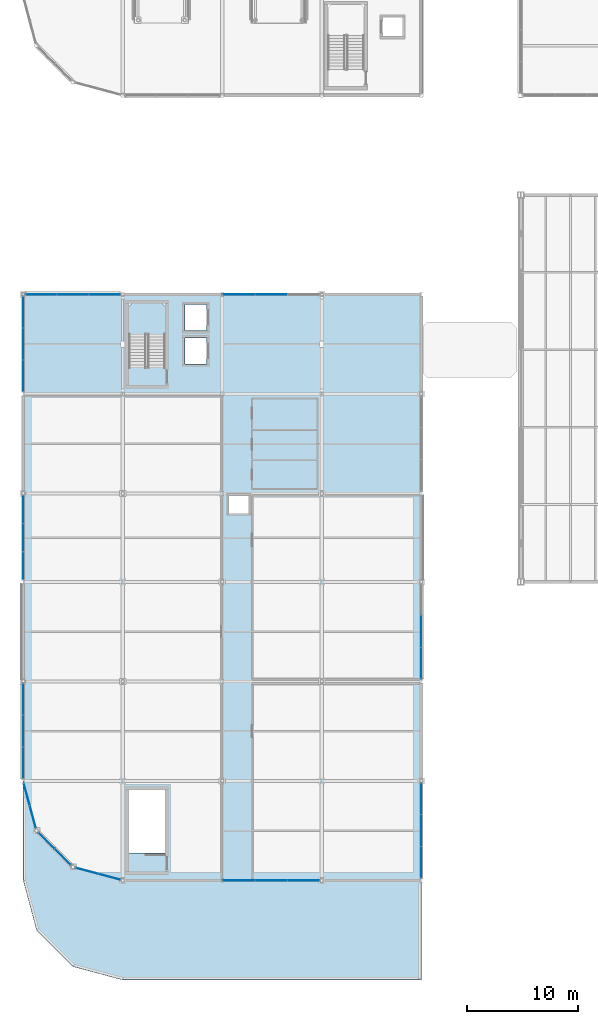
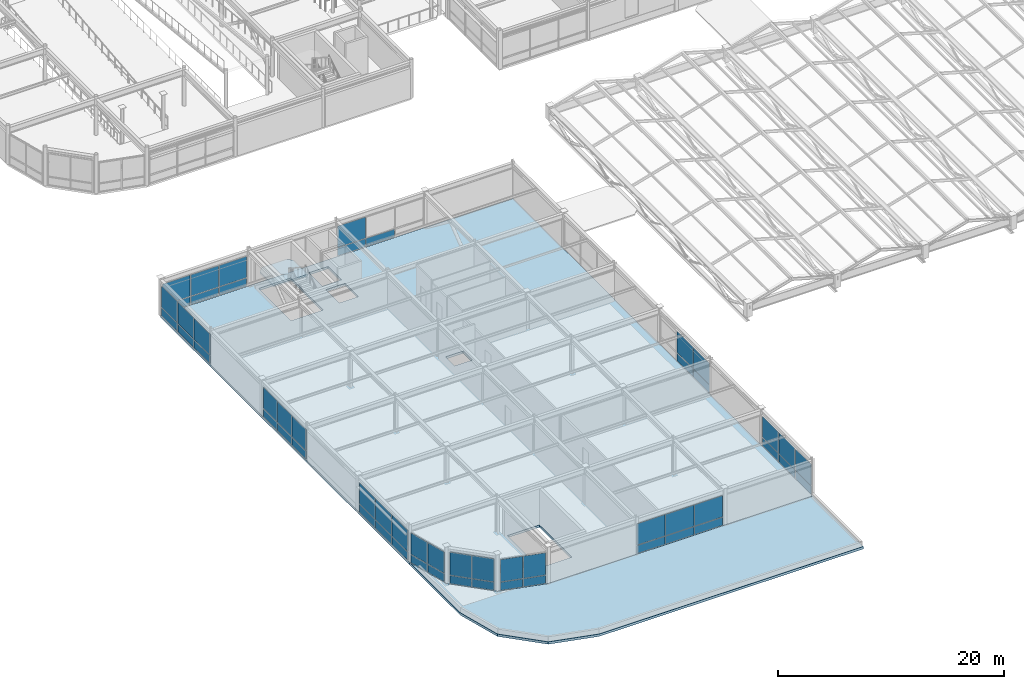
# One storey, part 63 of 108: 55 plates, 3 slabs, 12 elements without a shape of their own.
"""IFC4 building model written with IfcOpenShell, lengths in metres."""

from ifc_helpers import new_model, si_unit, direction, frame, origin, origin_2d, place, context, subcontext, project, spatial, polyline, rectangle, outline, extrude, material, layer, layer_set, type_object, element, aggregate, save


model = new_model("IFC4")

# Units and contexts
model_context = context("Model", 3, precision=1e-05, world=origin(), true_north=direction((0.0, 1.0)))
body_context = subcontext(model_context, "Body", "Model", "MODEL_VIEW")
ifc_project = project(units=[si_unit("LENGTHUNIT", "METRE"), si_unit("AREAUNIT", "SQUARE_METRE"), si_unit("VOLUMEUNIT", "CUBIC_METRE"), si_unit("PLANEANGLEUNIT", "RADIAN"), si_unit("MASSUNIT", "GRAM", prefix="KILO")], contexts=[model_context])

# Site, building, storey
site_placement = place(None, origin())
site = spatial("IfcSite", under=ifc_project, at=site_placement, CompositionType="ELEMENT")
building_placement = place(site_placement, origin())
building = spatial("IfcBuilding", under=site, at=building_placement, Name="Suzunagisa Mobility Hub", CompositionType="ELEMENT")
storey_placement = place(building_placement, frame((0.0, 0.0, 9.300048828125)))
storey = spatial("IfcBuildingStorey", under=building, at=storey_placement, Name="L02", CompositionType="ELEMENT", Elevation=9.300048828125)

# Slabs
ifc_material_1 = material(Name="Concrete C30/37", Category="concrete")
ifc_layer_1 = layer(ifc_material_1, 0.239990234375)
ifc_layer_set_1 = layer_set([ifc_layer_1], Name="Concrete C30/37")
slab_type_1 = type_object("IfcSlabType", Name="Composite Slab SL-14 240mm", PredefinedType="FLOOR", material=ifc_layer_set_1)
slab_1_placement = place(storey_placement, frame((0.0, 0.0, -0.239990234375)))
element("IfcSlab", 1, at=slab_1_placement, inside=storey, type_object=slab_type_1, Name="L02 V5 Floor Slab", PredefinedType="FLOOR", context=body_context, shape_type="SweptSolid", body=[
    extrude(outline(polyline([(0.0, 18.0), (1.205810546875, 13.5), (4.5, 10.205810546875), (9.0, 9.0), (36.0, 9.0), (36.0, 62.0), (0.0, 62.0), (0.0, 18.0)]), holes=[polyline([(18.60009765625, 42.199951171875), (20.39990234375, 42.199951171875), (20.39990234375, 43.800048828125), (18.60009765625, 43.800048828125), (18.60009765625, 42.199951171875)]), polyline([(9.56005859375, 55.47998046875), (12.840087890625, 55.47998046875), (12.840087890625, 61.199951171875), (9.56005859375, 61.199951171875), (9.56005859375, 55.47998046875)]), polyline([(14.6201171875, 55.719970703125), (16.580078125, 55.719970703125), (16.580078125, 58.080078125), (14.6201171875, 58.080078125), (14.6201171875, 55.719970703125)]), polyline([(14.6201171875, 58.719970703125), (16.580078125, 58.719970703125), (16.580078125, 61.080078125), (14.6201171875, 61.080078125), (14.6201171875, 58.719970703125)]), polyline([(9.56005859375, 11.47998046875), (12.840087890625, 11.47998046875), (12.840087890625, 17.199951171875), (9.56005859375, 17.199951171875), (9.56005859375, 11.47998046875)])]), origin(), (0.0, 0.0, 1.0), 0.239990234375),
])
ifc_layer_2 = layer(ifc_material_1, 0.260009765625)
ifc_layer_set_2 = layer_set([ifc_layer_2], Name="Concrete C30/37")
slab_type_2 = type_object("IfcSlabType", Name="Composite Slab SL-17 260mm", PredefinedType="ROOF", material=ifc_layer_set_2)
slab_2_placement = place(storey_placement, frame((0.0, 0.0, -0.260009765625)))
element("IfcSlab", 2, at=slab_2_placement, inside=storey, type_object=slab_type_2, Name="L02 V5 Roof Slab", PredefinedType="ROOF", context=body_context, shape_type="SweptSolid", body=[
    extrude(outline(polyline([(0.0, 9.0), (1.205810546875, 4.5), (4.5, 1.205810546875), (9.0, 0.0), (36.0, 0.0), (36.0, 8.9951171875), (8.998779296875, 8.9951171875), (4.49658203125, 10.202392578125), (1.20166015625, 13.497314453125), (0.0, 17.980712890625), (0.0, 9.0)])), origin(), (0.0, 0.0, 1.0), 0.260009765625),
])

# Stair, slab
ifc_material_2 = material(Name="Concrete C35/45", Category="concrete")
stair_type = type_object("IfcStairType", Name="Dog-Leg Core Escape Stair ST-01 W1560", PredefinedType="HALF_TURN_STAIR", material=ifc_material_2)
stair_placement = place(storey_placement, origin())
stair = element("IfcStair", 3, at=stair_placement, inside=storey, type_object=stair_type, Name="L02 Core C1 Escape Stair ST-01", PredefinedType="HALF_TURN_STAIR")
ifc_layer_3 = layer(ifc_material_2, 0.199951171875)
ifc_layer_set_3 = layer_set([ifc_layer_3], Name="Concrete C35/45")
slab_type_3 = type_object("IfcSlabType", Name="Core Stair Half-Landing Slab SL-SLND", PredefinedType="LANDING", material=ifc_layer_set_3)
slab_3_placement = place(storey_placement, frame((0.0, 0.0, 1.89990234375)))
slab_3 = element("IfcSlab", 4, at=slab_3_placement, type_object=slab_type_3, Name="ST-01 landing 1", PredefinedType="LANDING", context=body_context, shape_type="SweptSolid", body=[
    extrude(outline(polyline([(9.4599609375, 58.360107421875), (12.93994140625, 58.360107421875), (12.93994140625, 60.820068359375), (12.4599609375, 61.300048828125), (9.93994140625, 61.300048828125), (9.4599609375, 60.820068359375), (9.4599609375, 58.360107421875)])), origin(), (0.0, 0.0, 1.0), 0.199951171875),
])
aggregate(stair, [slab_3])

# Curtain wall, plates
ifc_material_3 = material(Name="Thermally Broken Anodized Aluminum and Low-E Glazing", Category="aluminium")
curtain_wall_type_1 = type_object("IfcCurtainWallType", Name="Unitised Curtain Wall CW-06 4250x3300", PredefinedType="USERDEFINED", material=ifc_material_3)
curtain_wall_1_placement = place(storey_placement, origin())
curtain_wall_1 = element("IfcCurtainWall", 5, at=curtain_wall_1_placement, inside=storey, type_object=curtain_wall_type_1, Name="L02 Unitised Curtain Wall CW-22", ObjectType="UNITISED CURTAIN WALL", PredefinedType="USERDEFINED")
ifc_material_4 = material(Name="Low-E Solar-Control Double Glazing", Category="glass")
ifc_layer_4 = layer(ifc_material_4, 0.028076171875)
ifc_layer_set_4 = layer_set([ifc_layer_4], Name="Low-E Solar-Control Double Glazing")
plate_type = type_object("IfcPlateType", Name="Low-E Double Glazed Curtain Panel GP-01 28mm", PredefinedType="CURTAIN_PANEL", material=ifc_layer_set_4)
plate_1_placement = place(storey_placement, frame((0.329345703125, 16.770751953125, 0.05810546875), z_axis=(0.0, 0.0, 1.0), x_axis=(0.258810670101, -0.965928070325, 0.0)))
plate_1 = element("IfcPlate", 6, at=plate_1_placement, type_object=plate_type, Name="Curtain Wall Glazing Panel 22-P1.1", PredefinedType="CURTAIN_PANEL", context=body_context, shape_type="SweptSolid", body=[
    extrude(rectangle(XDim=2.0361328125, YDim=0.028076171875, at=origin_2d()), origin(), (0.0, 0.0, 1.0), 0.864013671875),
])
plate_2_placement = place(storey_placement, frame((0.329345703125, 16.770751953125, 0.97802734375), z_axis=(0.0, 0.0, 1.0), x_axis=(0.258810670101, -0.965928070325, 0.0)))
plate_2 = element("IfcPlate", 7, at=plate_2_placement, type_object=plate_type, Name="Curtain Wall Glazing Panel 22-P1.2", PredefinedType="CURTAIN_PANEL", context=body_context, shape_type="SweptSolid", body=[
    extrude(rectangle(XDim=2.0361328125, YDim=0.028076171875, at=origin_2d()), origin(), (0.0, 0.0, 1.0), 2.2958984375),
])
plate_3_placement = place(storey_placement, frame((0.870849609375, 14.749755859375, 0.05810546875), z_axis=(0.0, 0.0, 1.0), x_axis=(0.258810670101, -0.965928070325, 0.0)))
plate_3 = element("IfcPlate", 8, at=plate_3_placement, type_object=plate_type, Name="Curtain Wall Glazing Panel 22-P2.1", PredefinedType="CURTAIN_PANEL", context=body_context, shape_type="SweptSolid", body=[
    extrude(rectangle(XDim=2.0361328125, YDim=0.028076171875, at=origin_2d()), origin(), (0.0, 0.0, 1.0), 0.864013671875),
])
plate_4_placement = place(storey_placement, frame((0.870849609375, 14.749755859375, 0.97802734375), z_axis=(0.0, 0.0, 1.0), x_axis=(0.258810670101, -0.965928070325, 0.0)))
plate_4 = element("IfcPlate", 9, at=plate_4_placement, type_object=plate_type, Name="Curtain Wall Glazing Panel 22-P2.2", PredefinedType="CURTAIN_PANEL", context=body_context, shape_type="SweptSolid", body=[
    extrude(rectangle(XDim=2.0361328125, YDim=0.028076171875, at=origin_2d()), origin(), (0.0, 0.0, 1.0), 2.2958984375),
])
aggregate(curtain_wall_1, [plate_1, plate_2, plate_3, plate_4])

curtain_wall_type_2 = type_object("IfcCurtainWallType", Name="Unitised Curtain Wall CW-24 4250x3500", PredefinedType="USERDEFINED", material=ifc_material_3)
curtain_wall_2_placement = place(storey_placement, origin())
curtain_wall_2 = element("IfcCurtainWall", 10, at=curtain_wall_2_placement, inside=storey, type_object=curtain_wall_type_2, Name="L02 Unitised Curtain Wall CW-23", ObjectType="UNITISED CURTAIN WALL", PredefinedType="USERDEFINED")
plate_5_placement = place(storey_placement, frame((2.12890625, 12.576904296875, 0.05810546875), z_axis=(0.0, 0.0, 1.0), x_axis=(0.707106781187, -0.707106781187, 0.0)))
plate_5 = element("IfcPlate", 11, at=plate_5_placement, type_object=plate_type, Name="Curtain Wall Glazing Panel 23-P1.1", PredefinedType="CURTAIN_PANEL", context=body_context, shape_type="SweptSolid", body=[
    extrude(rectangle(XDim=1.991943359375, YDim=0.028076171875, at=origin_2d()), origin(), (0.0, 0.0, 1.0), 0.864013671875),
])
plate_6_placement = place(storey_placement, frame((2.12890625, 12.576904296875, 0.97802734375), z_axis=(0.0, 0.0, 1.0), x_axis=(0.707106781187, -0.707106781187, 0.0)))
plate_6 = element("IfcPlate", 12, at=plate_6_placement, type_object=plate_type, Name="Curtain Wall Glazing Panel 23-P1.2", PredefinedType="CURTAIN_PANEL", context=body_context, shape_type="SweptSolid", body=[
    extrude(rectangle(XDim=1.991943359375, YDim=0.028076171875, at=origin_2d()), origin(), (0.0, 0.0, 1.0), 2.48388671875),
])
plate_7_placement = place(storey_placement, frame((3.576904296875, 11.12890625, 0.05810546875), z_axis=(0.0, 0.0, 1.0), x_axis=(0.707106781187, -0.707106781187, 0.0)))
plate_7 = element("IfcPlate", 13, at=plate_7_placement, type_object=plate_type, Name="Curtain Wall Glazing Panel 23-P2.1", PredefinedType="CURTAIN_PANEL", context=body_context, shape_type="SweptSolid", body=[
    extrude(rectangle(XDim=1.991943359375, YDim=0.028076171875, at=origin_2d()), origin(), (0.0, 0.0, 1.0), 0.864013671875),
])
plate_8_placement = place(storey_placement, frame((3.576904296875, 11.12890625, 0.97802734375), z_axis=(0.0, 0.0, 1.0), x_axis=(0.707106781187, -0.707106781187, 0.0)))
plate_8 = element("IfcPlate", 14, at=plate_8_placement, type_object=plate_type, Name="Curtain Wall Glazing Panel 23-P2.2", PredefinedType="CURTAIN_PANEL", context=body_context, shape_type="SweptSolid", body=[
    extrude(rectangle(XDim=1.991943359375, YDim=0.028076171875, at=origin_2d()), origin(), (0.0, 0.0, 1.0), 2.48388671875),
])
aggregate(curtain_wall_2, [plate_5, plate_6, plate_7, plate_8])

curtain_wall_type_3 = type_object("IfcCurtainWallType", Name="Unitised Curtain Wall CW-02 4250x3400", PredefinedType="USERDEFINED", material=ifc_material_3)
curtain_wall_3_placement = place(storey_placement, origin())
curtain_wall_3 = element("IfcCurtainWall", 15, at=curtain_wall_3_placement, inside=storey, type_object=curtain_wall_type_3, Name="L02 Unitised Curtain Wall CW-24", ObjectType="UNITISED CURTAIN WALL", PredefinedType="USERDEFINED")
plate_9_placement = place(storey_placement, frame((5.752685546875, 9.8701171875, 0.05810546875), z_axis=(0.0, 0.0, 1.0), x_axis=(0.96592351662, -0.258827664752, 0.0)))
plate_9 = element("IfcPlate", 16, at=plate_9_placement, type_object=plate_type, Name="Curtain Wall Glazing Panel 24-P1.1", PredefinedType="CURTAIN_PANEL", context=body_context, shape_type="SweptSolid", body=[
    extrude(rectangle(XDim=2.04248046875, YDim=0.028076171875, at=origin_2d()), origin(), (0.0, 0.0, 1.0), 0.864013671875),
])
plate_10_placement = place(storey_placement, frame((5.752685546875, 9.8701171875, 0.97802734375), z_axis=(0.0, 0.0, 1.0), x_axis=(0.96592351662, -0.258827664752, 0.0)))
plate_10 = element("IfcPlate", 17, at=plate_10_placement, type_object=plate_type, Name="Curtain Wall Glazing Panel 24-P1.2", PredefinedType="CURTAIN_PANEL", context=body_context, shape_type="SweptSolid", body=[
    extrude(rectangle(XDim=2.04248046875, YDim=0.028076171875, at=origin_2d()), origin(), (0.0, 0.0, 1.0), 2.39599609375),
])
plate_11_placement = place(storey_placement, frame((7.780029296875, 9.326904296875, 0.05810546875), z_axis=(0.0, 0.0, 1.0), x_axis=(0.96592351662, -0.258827664752, 0.0)))
plate_11 = element("IfcPlate", 18, at=plate_11_placement, type_object=plate_type, Name="Curtain Wall Glazing Panel 24-P2.1", PredefinedType="CURTAIN_PANEL", context=body_context, shape_type="SweptSolid", body=[
    extrude(rectangle(XDim=2.042724609375, YDim=0.028076171875, at=origin_2d()), origin(), (0.0, 0.0, 1.0), 0.864013671875),
])
plate_12_placement = place(storey_placement, frame((7.780029296875, 9.326904296875, 0.97802734375), z_axis=(0.0, 0.0, 1.0), x_axis=(0.96592351662, -0.258827664752, 0.0)))
plate_12 = element("IfcPlate", 19, at=plate_12_placement, type_object=plate_type, Name="Curtain Wall Glazing Panel 24-P2.2", PredefinedType="CURTAIN_PANEL", context=body_context, shape_type="SweptSolid", body=[
    extrude(rectangle(XDim=2.042724609375, YDim=0.028076171875, at=origin_2d()), origin(), (0.0, 0.0, 1.0), 2.39599609375),
])
aggregate(curtain_wall_3, [plate_9, plate_10, plate_11, plate_12])

curtain_wall_type_4 = type_object("IfcCurtainWallType", Name="Unitised Curtain Wall CW-12 8750x3300", PredefinedType="USERDEFINED", material=ifc_material_3)
curtain_wall_4_placement = place(storey_placement, origin())
curtain_wall_4 = element("IfcCurtainWall", 20, at=curtain_wall_4_placement, inside=storey, type_object=curtain_wall_type_4, Name="L02 Unitised Curtain Wall CW-25", ObjectType="UNITISED CURTAIN WALL", PredefinedType="USERDEFINED")
plate_13_placement = place(storey_placement, frame((19.49365234375, 9.0, 0.06298828125), z_axis=(0.0, 0.0, 1.0), x_axis=(1.0, 0.0, 0.0)))
plate_13 = element("IfcPlate", 21, at=plate_13_placement, type_object=plate_type, Name="Curtain Wall Glazing Panel 25-P1.1", PredefinedType="CURTAIN_PANEL", context=body_context, shape_type="SweptSolid", body=[
    extrude(rectangle(XDim=2.862548828125, YDim=0.028076171875, at=origin_2d()), origin(), (0.0, 0.0, 1.0), 0.8564453125),
])
plate_14_placement = place(storey_placement, frame((19.49365234375, 9.0, 0.98046875), z_axis=(0.0, 0.0, 1.0), x_axis=(1.0, 0.0, 0.0)))
plate_14 = element("IfcPlate", 22, at=plate_14_placement, type_object=plate_type, Name="Curtain Wall Glazing Panel 25-P1.2", PredefinedType="CURTAIN_PANEL", context=body_context, shape_type="SweptSolid", body=[
    extrude(rectangle(XDim=2.862548828125, YDim=0.028076171875, at=origin_2d()), origin(), (0.0, 0.0, 1.0), 2.28857421875),
])
plate_15_placement = place(storey_placement, frame((22.42724609375, 9.0, 0.06298828125), z_axis=(0.0, 0.0, 1.0), x_axis=(1.0, 0.0, 0.0)))
plate_15 = element("IfcPlate", 23, at=plate_15_placement, type_object=plate_type, Name="Curtain Wall Glazing Panel 25-P2.1", PredefinedType="CURTAIN_PANEL", context=body_context, shape_type="SweptSolid", body=[
    extrude(rectangle(XDim=2.892578125, YDim=0.028076171875, at=origin_2d()), origin(), (0.0, 0.0, 1.0), 0.8564453125),
])
plate_16_placement = place(storey_placement, frame((22.42724609375, 9.0, 0.98046875), z_axis=(0.0, 0.0, 1.0), x_axis=(1.0, 0.0, 0.0)))
plate_16 = element("IfcPlate", 24, at=plate_16_placement, type_object=plate_type, Name="Curtain Wall Glazing Panel 25-P2.2", PredefinedType="CURTAIN_PANEL", context=body_context, shape_type="SweptSolid", body=[
    extrude(rectangle(XDim=2.892578125, YDim=0.028076171875, at=origin_2d()), origin(), (0.0, 0.0, 1.0), 2.28857421875),
])
plate_17_placement = place(storey_placement, frame((25.360595703125, 9.0, 0.06298828125), z_axis=(0.0, 0.0, 1.0), x_axis=(1.0, 0.0, 0.0)))
plate_17 = element("IfcPlate", 25, at=plate_17_placement, type_object=plate_type, Name="Curtain Wall Glazing Panel 25-P3.1", PredefinedType="CURTAIN_PANEL", context=body_context, shape_type="SweptSolid", body=[
    extrude(rectangle(XDim=2.862548828125, YDim=0.028076171875, at=origin_2d()), origin(), (0.0, 0.0, 1.0), 0.8564453125),
])
plate_18_placement = place(storey_placement, frame((25.360595703125, 9.0, 0.98046875), z_axis=(0.0, 0.0, 1.0), x_axis=(1.0, 0.0, 0.0)))
plate_18 = element("IfcPlate", 26, at=plate_18_placement, type_object=plate_type, Name="Curtain Wall Glazing Panel 25-P3.2", PredefinedType="CURTAIN_PANEL", context=body_context, shape_type="SweptSolid", body=[
    extrude(rectangle(XDim=2.862548828125, YDim=0.028076171875, at=origin_2d()), origin(), (0.0, 0.0, 1.0), 2.28857421875),
])
aggregate(curtain_wall_4, [plate_13, plate_14, plate_15, plate_16, plate_17, plate_18])

curtain_wall_5_placement = place(storey_placement, origin())
curtain_wall_5 = element("IfcCurtainWall", 27, at=curtain_wall_5_placement, inside=storey, type_object=curtain_wall_type_4, Name="L02 Unitised Curtain Wall CW-26", ObjectType="UNITISED CURTAIN WALL", PredefinedType="USERDEFINED")
plate_19_placement = place(storey_placement, frame((36.0, 10.631591796875, 0.06298828125), z_axis=(0.0, 0.0, 1.0), x_axis=(0.0, 1.0, 0.0)))
plate_19 = element("IfcPlate", 28, at=plate_19_placement, type_object=plate_type, Name="Curtain Wall Glazing Panel 26-P1.1", PredefinedType="CURTAIN_PANEL", context=body_context, shape_type="SweptSolid", body=[
    extrude(rectangle(XDim=2.807373046875, YDim=0.028076171875, at=origin_2d()), origin(), (0.0, 0.0, 1.0), 0.8564453125),
])
plate_20_placement = place(storey_placement, frame((36.0, 10.631591796875, 0.98046875), z_axis=(0.0, 0.0, 1.0), x_axis=(0.0, 1.0, 0.0)))
plate_20 = element("IfcPlate", 29, at=plate_20_placement, type_object=plate_type, Name="Curtain Wall Glazing Panel 26-P1.2", PredefinedType="CURTAIN_PANEL", context=body_context, shape_type="SweptSolid", body=[
    extrude(rectangle(XDim=2.807373046875, YDim=0.028076171875, at=origin_2d()), origin(), (0.0, 0.0, 1.0), 2.28857421875),
])
plate_21_placement = place(storey_placement, frame((36.0, 13.510009765625, 0.06298828125), z_axis=(0.0, 0.0, 1.0), x_axis=(0.0, 1.0, 0.0)))
plate_21 = element("IfcPlate", 30, at=plate_21_placement, type_object=plate_type, Name="Curtain Wall Glazing Panel 26-P2.1", PredefinedType="CURTAIN_PANEL", context=body_context, shape_type="SweptSolid", body=[
    extrude(rectangle(XDim=2.83740234375, YDim=0.028076171875, at=origin_2d()), origin(), (0.0, 0.0, 1.0), 0.8564453125),
])
plate_22_placement = place(storey_placement, frame((36.0, 13.510009765625, 0.98046875), z_axis=(0.0, 0.0, 1.0), x_axis=(0.0, 1.0, 0.0)))
plate_22 = element("IfcPlate", 31, at=plate_22_placement, type_object=plate_type, Name="Curtain Wall Glazing Panel 26-P2.2", PredefinedType="CURTAIN_PANEL", context=body_context, shape_type="SweptSolid", body=[
    extrude(rectangle(XDim=2.83740234375, YDim=0.028076171875, at=origin_2d()), origin(), (0.0, 0.0, 1.0), 2.28857421875),
])
plate_23_placement = place(storey_placement, frame((36.0, 16.38818359375, 0.06298828125), z_axis=(0.0, 0.0, 1.0), x_axis=(0.0, 1.0, 0.0)))
plate_23 = element("IfcPlate", 32, at=plate_23_placement, type_object=plate_type, Name="Curtain Wall Glazing Panel 26-P3.1", PredefinedType="CURTAIN_PANEL", context=body_context, shape_type="SweptSolid", body=[
    extrude(rectangle(XDim=2.807373046875, YDim=0.028076171875, at=origin_2d()), origin(), (0.0, 0.0, 1.0), 0.8564453125),
])
plate_24_placement = place(storey_placement, frame((36.0, 16.38818359375, 0.98046875), z_axis=(0.0, 0.0, 1.0), x_axis=(0.0, 1.0, 0.0)))
plate_24 = element("IfcPlate", 33, at=plate_24_placement, type_object=plate_type, Name="Curtain Wall Glazing Panel 26-P3.2", PredefinedType="CURTAIN_PANEL", context=body_context, shape_type="SweptSolid", body=[
    extrude(rectangle(XDim=2.807373046875, YDim=0.028076171875, at=origin_2d()), origin(), (0.0, 0.0, 1.0), 2.28857421875),
])
aggregate(curtain_wall_5, [plate_19, plate_20, plate_21, plate_22, plate_23, plate_24])

curtain_wall_6_placement = place(storey_placement, origin())
curtain_wall_6 = element("IfcCurtainWall", 34, at=curtain_wall_6_placement, inside=storey, type_object=curtain_wall_type_4, Name="L02 Unitised Curtain Wall CW-27", ObjectType="UNITISED CURTAIN WALL", PredefinedType="USERDEFINED")
plate_25_placement = place(storey_placement, frame((36.0, 28.631591796875, 0.06298828125), z_axis=(0.0, 0.0, 1.0), x_axis=(0.0, 1.0, 0.0)))
plate_25 = element("IfcPlate", 35, at=plate_25_placement, type_object=plate_type, Name="Curtain Wall Glazing Panel 27-P1.1", PredefinedType="CURTAIN_PANEL", context=body_context, shape_type="SweptSolid", body=[
    extrude(rectangle(XDim=2.807373046875, YDim=0.028076171875, at=origin_2d()), origin(), (0.0, 0.0, 1.0), 0.8564453125),
])
plate_26_placement = place(storey_placement, frame((36.0, 28.631591796875, 0.98046875), z_axis=(0.0, 0.0, 1.0), x_axis=(0.0, 1.0, 0.0)))
plate_26 = element("IfcPlate", 36, at=plate_26_placement, type_object=plate_type, Name="Curtain Wall Glazing Panel 27-P1.2", PredefinedType="CURTAIN_PANEL", context=body_context, shape_type="SweptSolid", body=[
    extrude(rectangle(XDim=2.807373046875, YDim=0.028076171875, at=origin_2d()), origin(), (0.0, 0.0, 1.0), 2.28857421875),
])
plate_27_placement = place(storey_placement, frame((36.0, 31.510009765625, 0.06298828125), z_axis=(0.0, 0.0, 1.0), x_axis=(0.0, 1.0, 0.0)))
plate_27 = element("IfcPlate", 37, at=plate_27_placement, type_object=plate_type, Name="Curtain Wall Glazing Panel 27-P2.1", PredefinedType="CURTAIN_PANEL", context=body_context, shape_type="SweptSolid", body=[
    extrude(rectangle(XDim=2.83740234375, YDim=0.028076171875, at=origin_2d()), origin(), (0.0, 0.0, 1.0), 0.8564453125),
])
plate_28_placement = place(storey_placement, frame((36.0, 31.510009765625, 0.98046875), z_axis=(0.0, 0.0, 1.0), x_axis=(0.0, 1.0, 0.0)))
plate_28 = element("IfcPlate", 38, at=plate_28_placement, type_object=plate_type, Name="Curtain Wall Glazing Panel 27-P2.2", PredefinedType="CURTAIN_PANEL", context=body_context, shape_type="SweptSolid", body=[
    extrude(rectangle(XDim=2.83740234375, YDim=0.028076171875, at=origin_2d()), origin(), (0.0, 0.0, 1.0), 2.28857421875),
])
aggregate(curtain_wall_6, [plate_25, plate_26, plate_27, plate_28])

curtain_wall_7_placement = place(storey_placement, origin())
curtain_wall_7 = element("IfcCurtainWall", 39, at=curtain_wall_7_placement, inside=storey, type_object=curtain_wall_type_4, Name="L02 Unitised Curtain Wall CW-29", ObjectType="UNITISED CURTAIN WALL", PredefinedType="USERDEFINED")
plate_29_placement = place(storey_placement, frame((22.42724609375, 62.0, 0.06298828125), z_axis=(0.0, 0.0, 1.0), x_axis=(-1.0, 0.0, 0.0)))
plate_29 = element("IfcPlate", 40, at=plate_29_placement, type_object=plate_type, Name="Curtain Wall Glazing Panel 29-P2.1", PredefinedType="CURTAIN_PANEL", context=body_context, shape_type="SweptSolid", body=[
    extrude(rectangle(XDim=2.892578125, YDim=0.028076171875, at=origin_2d()), origin(), (0.0, 0.0, 1.0), 0.8564453125),
])
plate_30_placement = place(storey_placement, frame((19.493896484375, 62.0, 0.06298828125), z_axis=(0.0, 0.0, 1.0), x_axis=(-1.0, 0.0, 0.0)))
plate_30 = element("IfcPlate", 41, at=plate_30_placement, type_object=plate_type, Name="Curtain Wall Glazing Panel 29-P3.1", PredefinedType="CURTAIN_PANEL", context=body_context, shape_type="SweptSolid", body=[
    extrude(rectangle(XDim=2.862548828125, YDim=0.028076171875, at=origin_2d()), origin(), (0.0, 0.0, 1.0), 0.8564453125),
])
plate_31_placement = place(storey_placement, frame((19.493896484375, 62.0, 0.98046875), z_axis=(0.0, 0.0, 1.0), x_axis=(-1.0, 0.0, 0.0)))
plate_31 = element("IfcPlate", 42, at=plate_31_placement, type_object=plate_type, Name="Curtain Wall Glazing Panel 29-P3.2", PredefinedType="CURTAIN_PANEL", context=body_context, shape_type="SweptSolid", body=[
    extrude(rectangle(XDim=2.862548828125, YDim=0.028076171875, at=origin_2d()), origin(), (0.0, 0.0, 1.0), 2.28857421875),
])
aggregate(curtain_wall_7, [plate_29, plate_30, plate_31])

curtain_wall_8_placement = place(storey_placement, origin())
curtain_wall_8 = element("IfcCurtainWall", 43, at=curtain_wall_8_placement, inside=storey, type_object=curtain_wall_type_4, Name="L02 Unitised Curtain Wall CW-30", ObjectType="UNITISED CURTAIN WALL", PredefinedType="USERDEFINED")
plate_32_placement = place(storey_placement, frame((7.385009765625, 62.0, 0.06298828125), z_axis=(0.0, 0.0, 1.0), x_axis=(-1.0, 0.0, 0.0)))
plate_32 = element("IfcPlate", 44, at=plate_32_placement, type_object=plate_type, Name="Curtain Wall Glazing Panel 30-P1.1", PredefinedType="CURTAIN_PANEL", context=body_context, shape_type="SweptSolid", body=[
    extrude(rectangle(XDim=2.81396484375, YDim=0.028076171875, at=origin_2d()), origin(), (0.0, 0.0, 1.0), 0.8564453125),
])
plate_33_placement = place(storey_placement, frame((7.385009765625, 62.0, 0.98046875), z_axis=(0.0, 0.0, 1.0), x_axis=(-1.0, 0.0, 0.0)))
plate_33 = element("IfcPlate", 45, at=plate_33_placement, type_object=plate_type, Name="Curtain Wall Glazing Panel 30-P1.2", PredefinedType="CURTAIN_PANEL", context=body_context, shape_type="SweptSolid", body=[
    extrude(rectangle(XDim=2.81396484375, YDim=0.028076171875, at=origin_2d()), origin(), (0.0, 0.0, 1.0), 2.28857421875),
])
plate_34_placement = place(storey_placement, frame((4.5, 62.0, 0.06298828125), z_axis=(0.0, 0.0, 1.0), x_axis=(-1.0, 0.0, 0.0)))
plate_34 = element("IfcPlate", 46, at=plate_34_placement, type_object=plate_type, Name="Curtain Wall Glazing Panel 30-P2.1", PredefinedType="CURTAIN_PANEL", context=body_context, shape_type="SweptSolid", body=[
    extrude(rectangle(XDim=2.843994140625, YDim=0.028076171875, at=origin_2d()), origin(), (0.0, 0.0, 1.0), 0.8564453125),
])
plate_35_placement = place(storey_placement, frame((4.5, 62.0, 0.98046875), z_axis=(0.0, 0.0, 1.0), x_axis=(-1.0, 0.0, 0.0)))
plate_35 = element("IfcPlate", 47, at=plate_35_placement, type_object=plate_type, Name="Curtain Wall Glazing Panel 30-P2.2", PredefinedType="CURTAIN_PANEL", context=body_context, shape_type="SweptSolid", body=[
    extrude(rectangle(XDim=2.843994140625, YDim=0.028076171875, at=origin_2d()), origin(), (0.0, 0.0, 1.0), 2.28857421875),
])
plate_36_placement = place(storey_placement, frame((1.614990234375, 62.0, 0.06298828125), z_axis=(0.0, 0.0, 1.0), x_axis=(-1.0, 0.0, 0.0)))
plate_36 = element("IfcPlate", 48, at=plate_36_placement, type_object=plate_type, Name="Curtain Wall Glazing Panel 30-P3.1", PredefinedType="CURTAIN_PANEL", context=body_context, shape_type="SweptSolid", body=[
    extrude(rectangle(XDim=2.81396484375, YDim=0.028076171875, at=origin_2d()), origin(), (0.0, 0.0, 1.0), 0.8564453125),
])
plate_37_placement = place(storey_placement, frame((1.614990234375, 62.0, 0.98046875), z_axis=(0.0, 0.0, 1.0), x_axis=(-1.0, 0.0, 0.0)))
plate_37 = element("IfcPlate", 49, at=plate_37_placement, type_object=plate_type, Name="Curtain Wall Glazing Panel 30-P3.2", PredefinedType="CURTAIN_PANEL", context=body_context, shape_type="SweptSolid", body=[
    extrude(rectangle(XDim=2.81396484375, YDim=0.028076171875, at=origin_2d()), origin(), (0.0, 0.0, 1.0), 2.28857421875),
])
aggregate(curtain_wall_8, [plate_32, plate_33, plate_34, plate_35, plate_36, plate_37])

curtain_wall_9_placement = place(storey_placement, origin())
curtain_wall_9 = element("IfcCurtainWall", 50, at=curtain_wall_9_placement, inside=storey, type_object=curtain_wall_type_4, Name="L02 Unitised Curtain Wall CW-31", ObjectType="UNITISED CURTAIN WALL", PredefinedType="USERDEFINED")
plate_38_placement = place(storey_placement, frame((0.0, 60.388427734375, 0.06298828125), z_axis=(0.0, 0.0, 1.0), x_axis=(0.0, -1.0, 0.0)))
plate_38 = element("IfcPlate", 51, at=plate_38_placement, type_object=plate_type, Name="Curtain Wall Glazing Panel 31-P1.1", PredefinedType="CURTAIN_PANEL", context=body_context, shape_type="SweptSolid", body=[
    extrude(rectangle(XDim=2.807373046875, YDim=0.028076171875, at=origin_2d()), origin(), (0.0, 0.0, 1.0), 0.8564453125),
])
plate_39_placement = place(storey_placement, frame((0.0, 60.388427734375, 0.98046875), z_axis=(0.0, 0.0, 1.0), x_axis=(0.0, -1.0, 0.0)))
plate_39 = element("IfcPlate", 52, at=plate_39_placement, type_object=plate_type, Name="Curtain Wall Glazing Panel 31-P1.2", PredefinedType="CURTAIN_PANEL", context=body_context, shape_type="SweptSolid", body=[
    extrude(rectangle(XDim=2.807373046875, YDim=0.028076171875, at=origin_2d()), origin(), (0.0, 0.0, 1.0), 2.28857421875),
])
plate_40_placement = place(storey_placement, frame((0.0, 57.510009765625, 0.06298828125), z_axis=(0.0, 0.0, 1.0), x_axis=(0.0, -1.0, 0.0)))
plate_40 = element("IfcPlate", 53, at=plate_40_placement, type_object=plate_type, Name="Curtain Wall Glazing Panel 31-P2.1", PredefinedType="CURTAIN_PANEL", context=body_context, shape_type="SweptSolid", body=[
    extrude(rectangle(XDim=2.83740234375, YDim=0.028076171875, at=origin_2d()), origin(), (0.0, 0.0, 1.0), 0.8564453125),
])
plate_41_placement = place(storey_placement, frame((0.0, 57.510009765625, 0.98046875), z_axis=(0.0, 0.0, 1.0), x_axis=(0.0, -1.0, 0.0)))
plate_41 = element("IfcPlate", 54, at=plate_41_placement, type_object=plate_type, Name="Curtain Wall Glazing Panel 31-P2.2", PredefinedType="CURTAIN_PANEL", context=body_context, shape_type="SweptSolid", body=[
    extrude(rectangle(XDim=2.83740234375, YDim=0.028076171875, at=origin_2d()), origin(), (0.0, 0.0, 1.0), 2.28857421875),
])
plate_42_placement = place(storey_placement, frame((0.0, 54.631591796875, 0.06298828125), z_axis=(0.0, 0.0, 1.0), x_axis=(0.0, -1.0, 0.0)))
plate_42 = element("IfcPlate", 55, at=plate_42_placement, type_object=plate_type, Name="Curtain Wall Glazing Panel 31-P3.1", PredefinedType="CURTAIN_PANEL", context=body_context, shape_type="SweptSolid", body=[
    extrude(rectangle(XDim=2.807373046875, YDim=0.028076171875, at=origin_2d()), origin(), (0.0, 0.0, 1.0), 0.8564453125),
])
plate_43_placement = place(storey_placement, frame((0.0, 54.631591796875, 0.98046875), z_axis=(0.0, 0.0, 1.0), x_axis=(0.0, -1.0, 0.0)))
plate_43 = element("IfcPlate", 56, at=plate_43_placement, type_object=plate_type, Name="Curtain Wall Glazing Panel 31-P3.2", PredefinedType="CURTAIN_PANEL", context=body_context, shape_type="SweptSolid", body=[
    extrude(rectangle(XDim=2.807373046875, YDim=0.028076171875, at=origin_2d()), origin(), (0.0, 0.0, 1.0), 2.28857421875),
])
aggregate(curtain_wall_9, [plate_38, plate_39, plate_40, plate_41, plate_42, plate_43])

curtain_wall_type_5 = type_object("IfcCurtainWallType", Name="Unitised Curtain Wall CW-30 7750x3300", PredefinedType="USERDEFINED", material=ifc_material_3)
curtain_wall_10_placement = place(storey_placement, origin())
curtain_wall_10 = element("IfcCurtainWall", 57, at=curtain_wall_10_placement, inside=storey, type_object=curtain_wall_type_5, Name="L02 Unitised Curtain Wall CW-32", ObjectType="UNITISED CURTAIN WALL", PredefinedType="USERDEFINED")
plate_44_placement = place(storey_placement, frame((0.0, 42.554931640625, 0.06298828125), z_axis=(0.0, 0.0, 1.0), x_axis=(0.0, -1.0, 0.0)))
plate_44 = element("IfcPlate", 58, at=plate_44_placement, type_object=plate_type, Name="Curtain Wall Glazing Panel 32-P1.1", PredefinedType="CURTAIN_PANEL", context=body_context, shape_type="SweptSolid", body=[
    extrude(rectangle(XDim=2.47412109375, YDim=0.028076171875, at=origin_2d()), origin(), (0.0, 0.0, 1.0), 0.8564453125),
])
plate_45_placement = place(storey_placement, frame((0.0, 42.554931640625, 0.98046875), z_axis=(0.0, 0.0, 1.0), x_axis=(0.0, -1.0, 0.0)))
plate_45 = element("IfcPlate", 59, at=plate_45_placement, type_object=plate_type, Name="Curtain Wall Glazing Panel 32-P1.2", PredefinedType="CURTAIN_PANEL", context=body_context, shape_type="SweptSolid", body=[
    extrude(rectangle(XDim=2.47412109375, YDim=0.028076171875, at=origin_2d()), origin(), (0.0, 0.0, 1.0), 2.28857421875),
])
plate_46_placement = place(storey_placement, frame((0.0, 40.010009765625, 0.06298828125), z_axis=(0.0, 0.0, 1.0), x_axis=(0.0, -1.0, 0.0)))
plate_46 = element("IfcPlate", 60, at=plate_46_placement, type_object=plate_type, Name="Curtain Wall Glazing Panel 32-P2.1", PredefinedType="CURTAIN_PANEL", context=body_context, shape_type="SweptSolid", body=[
    extrude(rectangle(XDim=2.50390625, YDim=0.028076171875, at=origin_2d()), origin(), (0.0, 0.0, 1.0), 0.8564453125),
])
plate_47_placement = place(storey_placement, frame((0.0, 40.010009765625, 0.98046875), z_axis=(0.0, 0.0, 1.0), x_axis=(0.0, -1.0, 0.0)))
plate_47 = element("IfcPlate", 61, at=plate_47_placement, type_object=plate_type, Name="Curtain Wall Glazing Panel 32-P2.2", PredefinedType="CURTAIN_PANEL", context=body_context, shape_type="SweptSolid", body=[
    extrude(rectangle(XDim=2.50390625, YDim=0.028076171875, at=origin_2d()), origin(), (0.0, 0.0, 1.0), 2.28857421875),
])
plate_48_placement = place(storey_placement, frame((0.0, 37.465087890625, 0.06298828125), z_axis=(0.0, 0.0, 1.0), x_axis=(0.0, -1.0, 0.0)))
plate_48 = element("IfcPlate", 62, at=plate_48_placement, type_object=plate_type, Name="Curtain Wall Glazing Panel 32-P3.1", PredefinedType="CURTAIN_PANEL", context=body_context, shape_type="SweptSolid", body=[
    extrude(rectangle(XDim=2.47412109375, YDim=0.028076171875, at=origin_2d()), origin(), (0.0, 0.0, 1.0), 0.8564453125),
])
plate_49_placement = place(storey_placement, frame((0.0, 37.465087890625, 0.98046875), z_axis=(0.0, 0.0, 1.0), x_axis=(0.0, -1.0, 0.0)))
plate_49 = element("IfcPlate", 63, at=plate_49_placement, type_object=plate_type, Name="Curtain Wall Glazing Panel 32-P3.2", PredefinedType="CURTAIN_PANEL", context=body_context, shape_type="SweptSolid", body=[
    extrude(rectangle(XDim=2.47412109375, YDim=0.028076171875, at=origin_2d()), origin(), (0.0, 0.0, 1.0), 2.28857421875),
])
aggregate(curtain_wall_10, [plate_44, plate_45, plate_46, plate_47, plate_48, plate_49])

curtain_wall_11_placement = place(storey_placement, origin())
curtain_wall_11 = element("IfcCurtainWall", 64, at=curtain_wall_11_placement, inside=storey, type_object=curtain_wall_type_4, Name="L02 Unitised Curtain Wall CW-33", ObjectType="UNITISED CURTAIN WALL", PredefinedType="USERDEFINED")
plate_50_placement = place(storey_placement, frame((0.0, 25.388427734375, 0.06298828125), z_axis=(0.0, 0.0, 1.0), x_axis=(0.0, -1.0, 0.0)))
plate_50 = element("IfcPlate", 65, at=plate_50_placement, type_object=plate_type, Name="Curtain Wall Glazing Panel 33-P1.1", PredefinedType="CURTAIN_PANEL", context=body_context, shape_type="SweptSolid", body=[
    extrude(rectangle(XDim=2.807373046875, YDim=0.028076171875, at=origin_2d()), origin(), (0.0, 0.0, 1.0), 0.8564453125),
])
plate_51_placement = place(storey_placement, frame((0.0, 25.388427734375, 0.98046875), z_axis=(0.0, 0.0, 1.0), x_axis=(0.0, -1.0, 0.0)))
plate_51 = element("IfcPlate", 66, at=plate_51_placement, type_object=plate_type, Name="Curtain Wall Glazing Panel 33-P1.2", PredefinedType="CURTAIN_PANEL", context=body_context, shape_type="SweptSolid", body=[
    extrude(rectangle(XDim=2.807373046875, YDim=0.028076171875, at=origin_2d()), origin(), (0.0, 0.0, 1.0), 2.28857421875),
])
plate_52_placement = place(storey_placement, frame((0.0, 22.510009765625, 0.06298828125), z_axis=(0.0, 0.0, 1.0), x_axis=(0.0, -1.0, 0.0)))
plate_52 = element("IfcPlate", 67, at=plate_52_placement, type_object=plate_type, Name="Curtain Wall Glazing Panel 33-P2.1", PredefinedType="CURTAIN_PANEL", context=body_context, shape_type="SweptSolid", body=[
    extrude(rectangle(XDim=2.83740234375, YDim=0.028076171875, at=origin_2d()), origin(), (0.0, 0.0, 1.0), 0.8564453125),
])
plate_53_placement = place(storey_placement, frame((0.0, 22.510009765625, 0.98046875), z_axis=(0.0, 0.0, 1.0), x_axis=(0.0, -1.0, 0.0)))
plate_53 = element("IfcPlate", 68, at=plate_53_placement, type_object=plate_type, Name="Curtain Wall Glazing Panel 33-P2.2", PredefinedType="CURTAIN_PANEL", context=body_context, shape_type="SweptSolid", body=[
    extrude(rectangle(XDim=2.83740234375, YDim=0.028076171875, at=origin_2d()), origin(), (0.0, 0.0, 1.0), 2.28857421875),
])
plate_54_placement = place(storey_placement, frame((0.0, 19.631591796875, 0.06298828125), z_axis=(0.0, 0.0, 1.0), x_axis=(0.0, -1.0, 0.0)))
plate_54 = element("IfcPlate", 69, at=plate_54_placement, type_object=plate_type, Name="Curtain Wall Glazing Panel 33-P3.1", PredefinedType="CURTAIN_PANEL", context=body_context, shape_type="SweptSolid", body=[
    extrude(rectangle(XDim=2.807373046875, YDim=0.028076171875, at=origin_2d()), origin(), (0.0, 0.0, 1.0), 0.8564453125),
])
plate_55_placement = place(storey_placement, frame((0.0, 19.631591796875, 0.98046875), z_axis=(0.0, 0.0, 1.0), x_axis=(0.0, -1.0, 0.0)))
plate_55 = element("IfcPlate", 70, at=plate_55_placement, type_object=plate_type, Name="Curtain Wall Glazing Panel 33-P3.2", PredefinedType="CURTAIN_PANEL", context=body_context, shape_type="SweptSolid", body=[
    extrude(rectangle(XDim=2.807373046875, YDim=0.028076171875, at=origin_2d()), origin(), (0.0, 0.0, 1.0), 2.28857421875),
])
aggregate(curtain_wall_11, [plate_50, plate_51, plate_52, plate_53, plate_54, plate_55])

save(model, "model.ifc")
